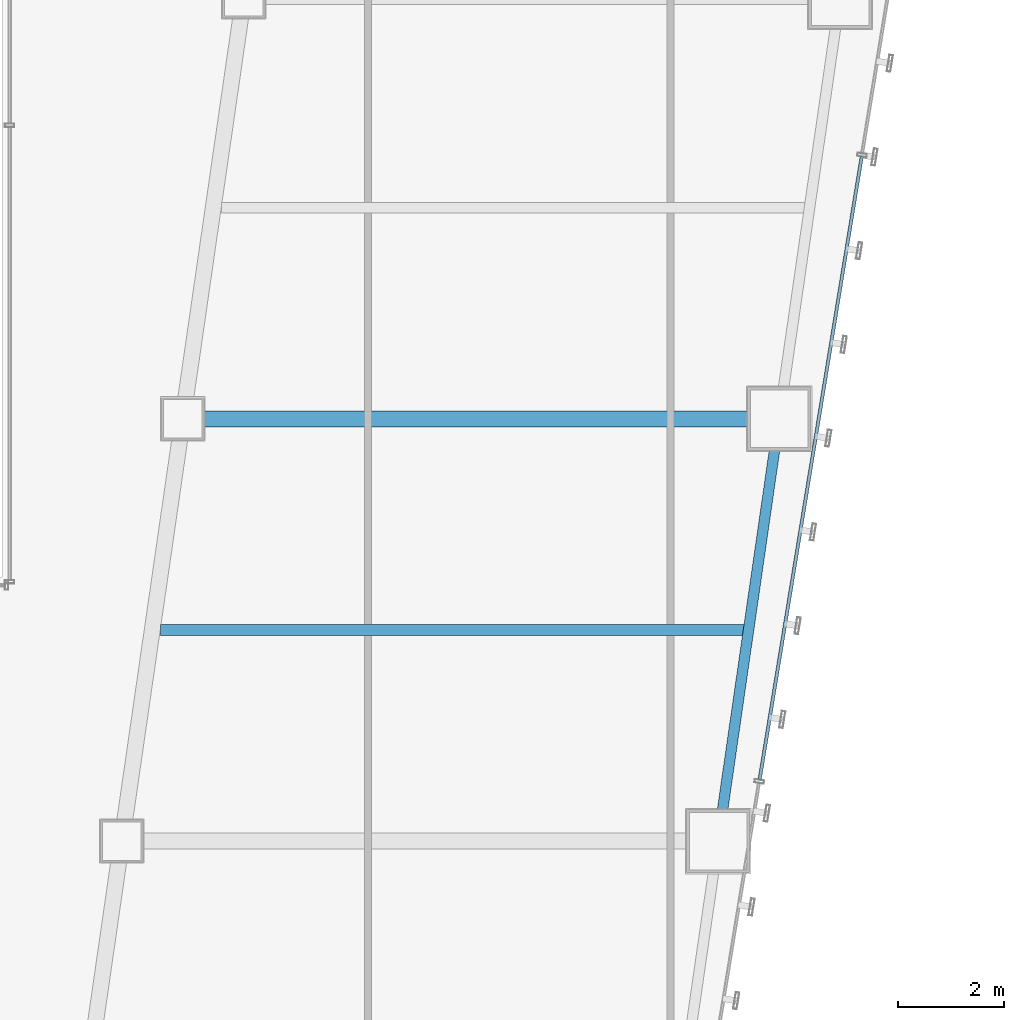
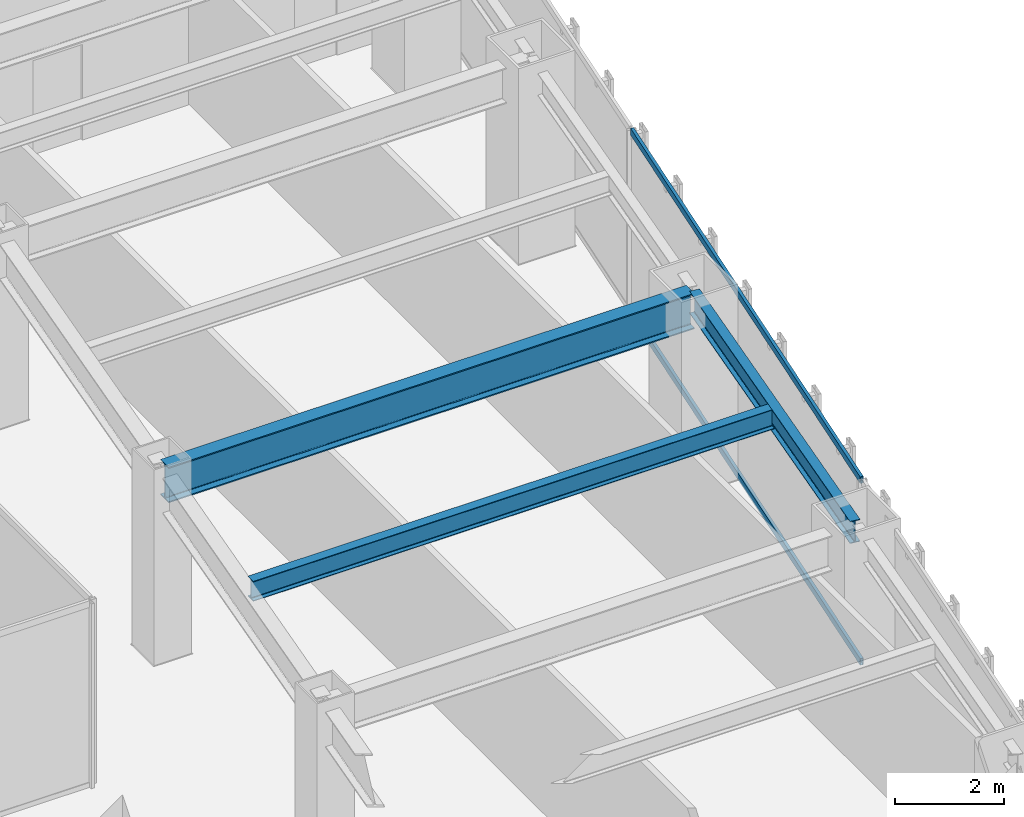
# One storey, part 19 of 49: 3 beams, 2 members, 1 element without a shape of its own.
"""IFC4 building model written with IfcOpenShell, lengths in metres."""

from ifc_helpers import new_model, si_unit, direction, frame, origin, origin_2d, place, context, subcontext, project, spatial, hollow_rectangle, i_section, extrude, material, material_profile, profile_set, type_object, element, aggregate, save


model = new_model("IFC4")

# Units and contexts
model_context = context("Model", 3, precision=1e-05, world=origin(), true_north=direction((0.0, 1.0)))
body_context = subcontext(model_context, "Body", "Model", "MODEL_VIEW")
ifc_project = project(units=[si_unit("LENGTHUNIT", "METRE"), si_unit("AREAUNIT", "SQUARE_METRE"), si_unit("VOLUMEUNIT", "CUBIC_METRE"), si_unit("PLANEANGLEUNIT", "RADIAN"), si_unit("MASSUNIT", "GRAM", prefix="KILO")], contexts=[model_context])

# Site, building, storey
site_placement = place(None, origin())
site = spatial("IfcSite", under=ifc_project, at=site_placement, CompositionType="ELEMENT")
building_placement = place(site_placement, origin())
building = spatial("IfcBuilding", under=site, at=building_placement, Name="Saevonmaru Cultural Tower", CompositionType="ELEMENT")
storey_placement = place(building_placement, frame((0.0, 0.0, 38.39990234375)))
storey = spatial("IfcBuildingStorey", under=building, at=storey_placement, Name="L07", CompositionType="ELEMENT", Elevation=38.39990234375)

# Beams
ifc_material_1 = material(Name="Steel SM420", Category="steel")
ifc_material_profile_1 = material_profile(ifc_material_1, i_section(OverallWidth=0.300048828125, OverallDepth=0.800048828125, WebThickness=0.013916015625, FlangeThickness=0.02587890625, FilletRadius=0.028076171875, at=origin_2d()), Name="H-800x300x14x26")
ifc_profile_set_1 = profile_set([ifc_material_profile_1], Name="Steel SM420")
beam_type_1 = type_object("IfcBeamType", Name="BM-G-H800", PredefinedType="BEAM", material=ifc_profile_set_1)
beam_1_placement = place(storey_placement, frame((39.2880859375, 24.0, 3.75), z_axis=(1.0, 0.0, 0.0), x_axis=(0.0, 1.0, 0.0)))
element("IfcBeam", 1, at=beam_1_placement, inside=storey, type_object=beam_type_1, Name="L07 East Wing Transverse Girder 4", PredefinedType="BEAM", context=body_context, shape_type="SweptSolid", body=[
    extrude(i_section(OverallWidth=0.300048828125, OverallDepth=0.800048828125, WebThickness=0.013916015625, FlangeThickness=0.02587890625, FilletRadius=0.028076171875, at=origin_2d()), origin(), (0.0, 0.0, 1.0), 11.179931640625),
])
ifc_material_2 = material(Name="Steel SM355", Category="steel")
ifc_material_profile_2 = material_profile(ifc_material_2, i_section(OverallWidth=0.199951171875, OverallDepth=0.449951171875, WebThickness=0.009033203125, FlangeThickness=0.013916015625, FilletRadius=0.01806640625, at=origin_2d()), Name="H-450x200x9x14")
ifc_profile_set_2 = profile_set([ifc_material_profile_2], Name="Steel SM355")
beam_type_2 = type_object("IfcBeamType", Name="BM-J-H450", PredefinedType="JOIST", material=ifc_profile_set_2)
beam_2_placement = place(storey_placement, frame((38.80810546875, 20.0, 3.925048828125), z_axis=(1.0, 0.0, 0.0), x_axis=(0.0, 1.0, 0.0)))
element("IfcBeam", 2, at=beam_2_placement, inside=storey, type_object=beam_type_2, Name="L07 East Wing Floor Joist 3", PredefinedType="JOIST", context=body_context, shape_type="SweptSolid", body=[
    extrude(i_section(OverallWidth=0.199951171875, OverallDepth=0.449951171875, WebThickness=0.009033203125, FlangeThickness=0.013916015625, FilletRadius=0.01806640625, at=origin_2d()), origin(), (0.0, 0.0, 1.0), 11.081787109375),
])
ifc_material_profile_3 = material_profile(ifc_material_2, i_section(OverallWidth=0.199951171875, OverallDepth=0.5, WebThickness=0.010009765625, FlangeThickness=0.01611328125, FilletRadius=0.02001953125, at=origin_2d()), Name="H-500x200x10x16")
ifc_profile_set_3 = profile_set([ifc_material_profile_3], Name="Steel SM355")
beam_type_3 = type_object("IfcBeamType", Name="BM-SP-H500", PredefinedType="SPANDREL", material=ifc_profile_set_3)
beam_3_placement = place(storey_placement, frame((49.380615234375, 16.059326171875, 3.900146484375), z_axis=(0.142992129437, 0.989723825579, 0.0), x_axis=(-0.989723825579, 0.142992129437, 0.0)))
element("IfcBeam", 3, at=beam_3_placement, inside=storey, type_object=beam_type_3, Name="L07 East Splayed Spandrel 3", PredefinedType="SPANDREL", context=body_context, shape_type="SweptSolid", body=[
    extrude(i_section(OverallWidth=0.199951171875, OverallDepth=0.5, WebThickness=0.010009765625, FlangeThickness=0.01611328125, FilletRadius=0.02001953125, at=origin_2d()), origin(), (0.0, 0.0, 1.0), 7.963134765625),
])

# Curtain wall, members
ifc_material_3 = material(Name="Satin Bronze Anodised Aluminium", Category="aluminium")
curtain_wall_type = type_object("IfcCurtainWallType", Name="CW-TYP-A", PredefinedType="NOTDEFINED", material=ifc_material_3)
curtain_wall_placement = place(storey_placement, origin())
curtain_wall = element("IfcCurtainWall", 4, at=curtain_wall_placement, inside=storey, type_object=curtain_wall_type, Name="L07 Unitised Curtain Wall E8", PredefinedType="NOTDEFINED")
ifc_material_profile_4 = material_profile(ifc_material_3, hollow_rectangle(XDim=0.06494140625, YDim=0.14990234375, WallThickness=0.00390625, at=origin_2d()), Name="ALU-TRAN-150x65x4")
ifc_profile_set_4 = profile_set([ifc_material_profile_4], Name="Satin Bronze Anodised Aluminium")
member_type = type_object("IfcMemberType", Name="TR-CW-150x65", PredefinedType="USERDEFINED", material=ifc_profile_set_4)
member_1_placement = place(storey_placement, frame((50.16015625, 17.16162109375, 0.03271484375), z_axis=(0.161701400727, 0.986839732177, 0.0), x_axis=(-0.986839732177, 0.161701400727, 0.0)))
member_1 = element("IfcMember", 5, at=member_1_placement, type_object=member_type, Name="CW-TW-L07-E8 transom 2.1", ObjectType="TRANSOM", PredefinedType="USERDEFINED", context=body_context, shape_type="SweptSolid", body=[
    extrude(hollow_rectangle(XDim=0.06494140625, YDim=0.14990234375, WallThickness=0.00390625, at=origin_2d()), origin(), (0.0, 0.0, 1.0), 11.9638671875),
])
member_2_placement = place(storey_placement, frame((50.16015625, 17.16162109375, 4.11767578125), z_axis=(0.161701400727, 0.986839732177, 0.0), x_axis=(-0.986839732177, 0.161701400727, 0.0)))
member_2 = element("IfcMember", 6, at=member_2_placement, type_object=member_type, Name="CW-TW-L07-E8 transom 2.2", ObjectType="TRANSOM", PredefinedType="USERDEFINED", context=body_context, shape_type="SweptSolid", body=[
    extrude(hollow_rectangle(XDim=0.06494140625, YDim=0.14990234375, WallThickness=0.00390625, at=origin_2d()), origin(), (0.0, 0.0, 1.0), 11.9638671875),
])
aggregate(curtain_wall, [member_1, member_2])

save(model, "model.ifc")
